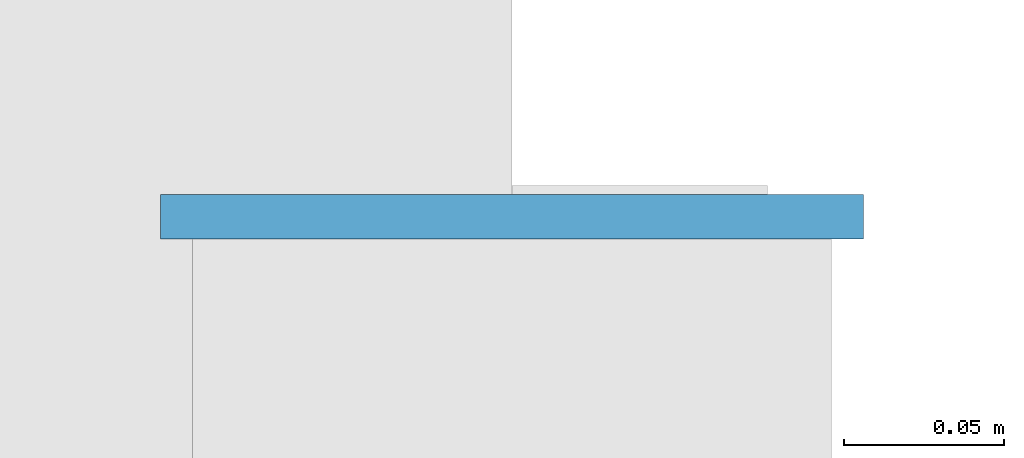
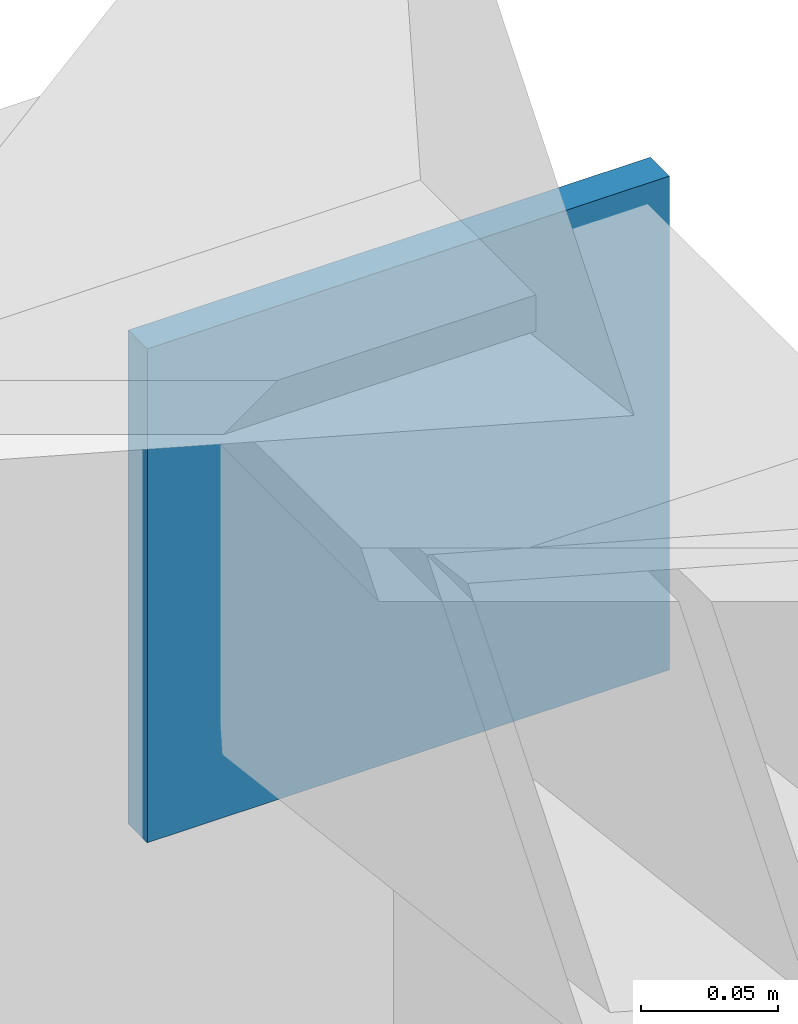
# One storey, part 15 of 21: 1 plate.
"""IFC4 building model written with IfcOpenShell, lengths in metres."""

from ifc_helpers import new_model, si_unit, direction, frame, origin, origin_2d, place, context, subcontext, project, spatial, rectangle, extrude, material, layer, layer_set, type_object, element, save


model = new_model("IFC4")

# Units and contexts
model_context = context("Model", 3, precision=1e-05, world=origin(), true_north=direction((0.0, 1.0)))
body_context = subcontext(model_context, "Body", "Model", "MODEL_VIEW")
ifc_project = project(units=[si_unit("LENGTHUNIT", "METRE"), si_unit("AREAUNIT", "SQUARE_METRE"), si_unit("VOLUMEUNIT", "CUBIC_METRE"), si_unit("PLANEANGLEUNIT", "RADIAN"), si_unit("MASSUNIT", "GRAM", prefix="KILO")], contexts=[model_context])

# Site, building, storey
site_placement = place(None, origin())
site = spatial("IfcSite", under=ifc_project, at=site_placement, CompositionType="ELEMENT")
building_placement = place(site_placement, origin())
building = spatial("IfcBuilding", under=site, at=building_placement, Name="Celorna Specialist Clinic", CompositionType="ELEMENT")
storey_placement = place(building_placement, frame((0.0, 0.0, 23.10009765625)))
storey = spatial("IfcBuildingStorey", under=building, at=storey_placement, Name="L05", CompositionType="ELEMENT", Elevation=23.10009765625)

# Plate
ifc_material = material(Name="Steel S355", Category="steel")
ifc_layer = layer(ifc_material, 0.01611328125, Name="Steel S355")
ifc_layer_set = layer_set([ifc_layer], Name="Steel S355")
plate_type = type_object("IfcPlateType", Name="EP-04", PredefinedType="SHEET", material=ifc_layer_set)
plate_placement = place(storey_placement, frame((31.199951171875, 27.300048828125, -0.31201171875), z_axis=(0.0, 0.0, 1.0), x_axis=(1.0, 0.0, 0.0)))
element("IfcPlate", 1, at=plate_placement, inside=storey, type_object=plate_type, Name="Rafter chord cap plate ROOF-V5-NORTH", PredefinedType="SHEET", context=body_context, shape_type="SweptSolid", body=[
    extrude(rectangle(XDim=0.219970703125, YDim=0.013916015625, at=origin_2d()), origin(), (0.0, 0.0, 1.0), 0.219970703125),
])

save(model, "model.ifc")
